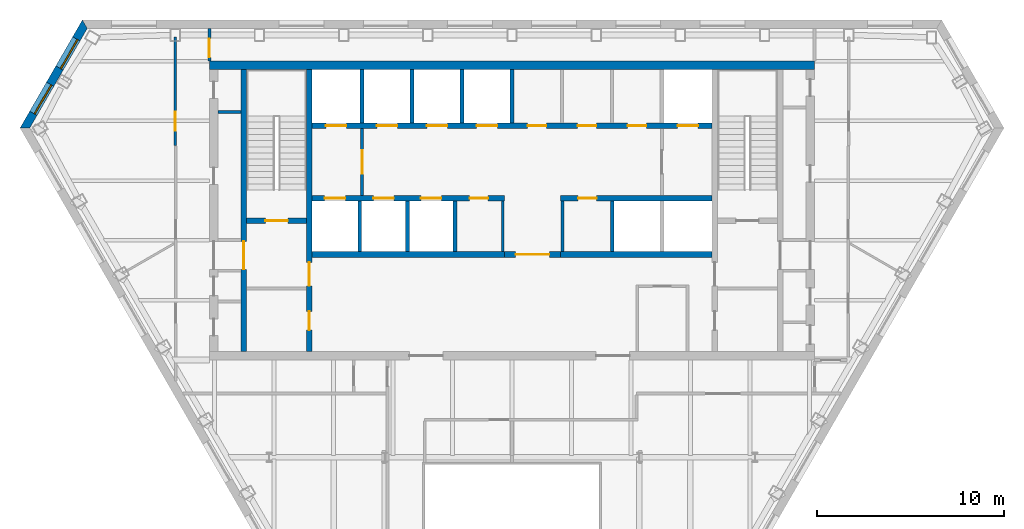
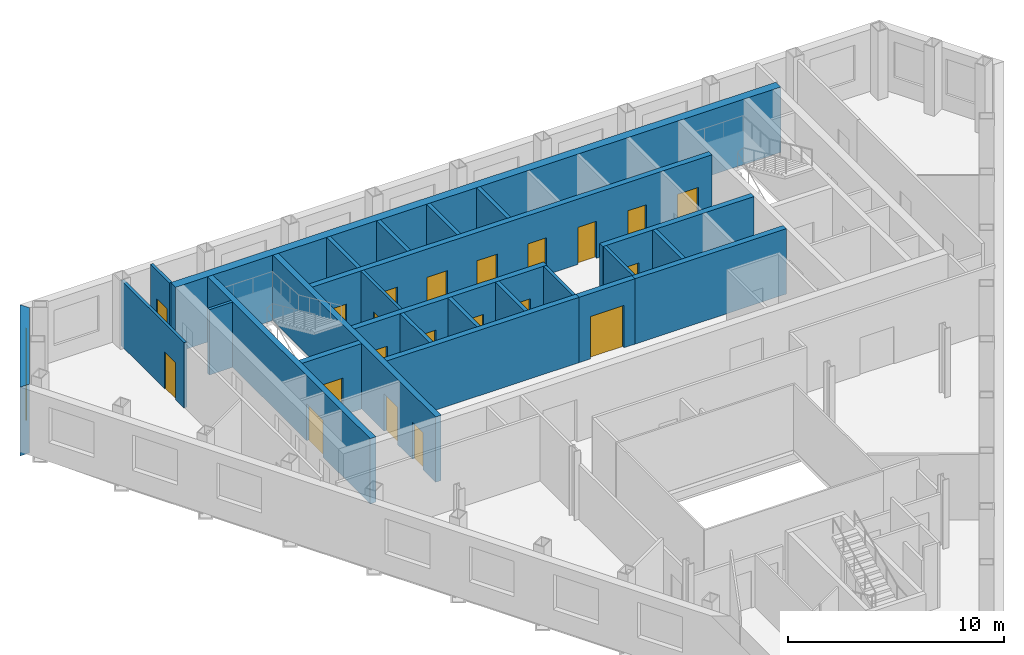
# One storey, part 6 of 10: 25 walls, 21 doors, 2 windows, 23 openings.
"""IFC4 building model written with IfcOpenShell, lengths in metres."""

from ifc_helpers import new_model, si_unit, direction, frame, frame_2d, origin, place, context, subcontext, project, spatial, polyline, rectangle, outline, extrude, material, layer, layer_set, type_object, element, fill, save


model = new_model("IFC4")

# Units and contexts
model_context = context("Model", 3, precision=1e-05, world=origin(), true_north=direction((0.0, 1.0)))
body_context = subcontext(model_context, "Body", "Model", "MODEL_VIEW")
ifc_project = project(units=[si_unit("LENGTHUNIT", "METRE"), si_unit("AREAUNIT", "SQUARE_METRE"), si_unit("VOLUMEUNIT", "CUBIC_METRE"), si_unit("PLANEANGLEUNIT", "RADIAN"), si_unit("MASSUNIT", "GRAM", prefix="KILO")], contexts=[model_context])

# Site, building, storey
site_placement = place(None, origin())
site = spatial("IfcSite", under=ifc_project, at=site_placement, CompositionType="ELEMENT")
building_placement = place(site_placement, origin())
building = spatial("IfcBuilding", under=site, at=building_placement, Name="Njiva Tower", CompositionType="ELEMENT")
storey_placement = place(building_placement, frame((0.0, 0.0, 227.7)))
storey = spatial("IfcBuildingStorey", under=building, at=storey_placement, Name="L51", CompositionType="ELEMENT", Elevation=227.7)

# Walls
ifc_material_1 = material(Name="Blockwork", Category="masonry")
ifc_layer_1 = layer(ifc_material_1, 0.15)
ifc_layer_set_1 = layer_set([ifc_layer_1], Name="Blockwork")
wall_type_1 = type_object("IfcWallType", Name="WT1 Compartment partition 150", PredefinedType="PARTITIONING", material=ifc_layer_set_1)
for number, where, z_axis, x_axis, name in (
    (1, (-0.5, 7.8, 0.0), (0.0, 0.0, 1.0), (0.0, 1.0, 0.0), "Partition CS4"),
    (2, (2.7, 7.8, 0.0), (0.0, 0.0, 1.0), (0.0, 1.0, 0.0), "Partition CS5"),
):
    element("IfcWall", number, at=place(storey_placement, frame(where, z_axis=z_axis, x_axis=x_axis)), inside=storey, type_object=wall_type_1, Name=name, PredefinedType="PARTITIONING", context=body_context, shape_type="SweptSolid", body=[
        extrude(rectangle(XDim=2.7, YDim=0.15, at=frame_2d((1.35, 0.0))), origin(), (0.0, 0.0, 1.0), 3.7),
    ])

# Wall, openings, doors
ifc_material_2 = material(Name="Concrete C40/50", Category="concrete")
ifc_layer_2 = layer(ifc_material_2, 0.3)
ifc_layer_set_2 = layer_set([ifc_layer_2], Name="Concrete C40/50")
wall_type_2 = type_object("IfcWallType", Name="WT10 Stair enclosure wall 300", PredefinedType="SHEAR", material=ifc_layer_set_2)
wall_1_placement = place(storey_placement, frame((-10.85, 2.45, 0.0), z_axis=(0.0, 0.0, 1.0), x_axis=(0.0, 1.0, 0.0)))
wall_1 = element("IfcWall", 3, at=wall_1_placement, inside=storey, type_object=wall_type_2, Name="Stair wall west inner", PredefinedType="SHEAR", context=body_context, shape_type="SweptSolid", body=[
    extrude(rectangle(XDim=15.1, YDim=0.3, at=frame_2d((7.55, 0.0))), origin(), (0.0, 0.0, 1.0), 3.7),
])
opening_1_placement = place(wall_1_placement, frame((3.525, 0.0, 0.0)))
opening_1 = element("IfcOpeningElement", 4, at=opening_1_placement, cuts=wall_1, Name="Opening S17-D916", PredefinedType="OPENING", context=body_context, shape_type="SweptSolid", body=[
    extrude(rectangle(XDim=1.25, YDim=2.1, at=frame_2d((0.625, 1.05))), frame((0.0, 0.16, 0.0), z_axis=(0.0, -1.0, 0.0), x_axis=(1.0, 0.0, 0.0)), (0.0, 0.0, 1.0), 0.32),
])
opening_2_placement = place(wall_1_placement, frame((1.15, 0.0, 0.0)))
opening_2 = element("IfcOpeningElement", 5, at=opening_2_placement, cuts=wall_1, Name="Opening S17-D917", PredefinedType="OPENING", context=body_context, shape_type="SweptSolid", body=[
    extrude(rectangle(XDim=1.0, YDim=2.1, at=frame_2d((0.5, 1.05))), frame((0.0, 0.16, 0.0), z_axis=(0.0, -1.0, 0.0), x_axis=(1.0, 0.0, 0.0)), (0.0, 0.0, 1.0), 0.32),
])
ifc_material_3 = material(Name="Steel door, painted", Category="steel")
door_type_1 = type_object("IfcDoorType", Name="D5 Steel door 1000x2100", OperationType="SINGLE_SWING_LEFT", PredefinedType="DOOR", material=ifc_material_3)
door_1_placement = place(opening_2_placement, origin())
door_1 = element("IfcDoor", 6, at=door_1_placement, inside=storey, type_object=door_type_1, Name="Business centre door", OperationType="SINGLE_SWING_RIGHT", OverallHeight=2.1, OverallWidth=1.0, PredefinedType="DOOR", context=body_context, shape_type="SweptSolid", body=[
    extrude(rectangle(XDim=1.0, YDim=2.1, at=frame_2d((0.5, 1.05))), frame((0.0, 0.025, 0.0), z_axis=(0.0, -1.0, 0.0), x_axis=(1.0, 0.0, 0.0)), (0.0, 0.0, 1.0), 0.05),
])
fill(opening_2, door_1)
ifc_material_4 = material(Name="Glazed steel fire door", Category="steel")
door_type_2 = type_object("IfcDoorType", Name="D8 Vestibule corridor door 1250x2100 glazed", OperationType="SINGLE_SWING_LEFT", PredefinedType="DOOR", material=ifc_material_4)
door_2_placement = place(opening_1_placement, origin())
door_2 = element("IfcDoor", 7, at=door_2_placement, inside=storey, type_object=door_type_2, Name="Stair vestibule corridor door", OperationType="SINGLE_SWING_LEFT", OverallHeight=2.1, OverallWidth=1.25, PredefinedType="DOOR", context=body_context, shape_type="SweptSolid", body=[
    extrude(rectangle(XDim=1.25, YDim=2.1, at=frame_2d((0.625, 1.05))), frame((0.0, 0.025, 0.0), z_axis=(0.0, -1.0, 0.0), x_axis=(1.0, 0.0, 0.0)), (0.0, 0.0, 1.0), 0.05),
])
fill(opening_1, door_2)

# Wall, opening, door
wall_2_placement = place(storey_placement, frame((-14.35, 2.45, 0.0), z_axis=(0.0, 0.0, 1.0), x_axis=(0.0, 1.0, 0.0)))
wall_2 = element("IfcWall", 8, at=wall_2_placement, inside=storey, type_object=wall_type_2, Name="Stair wall west outer", PredefinedType="SHEAR", context=body_context, shape_type="SweptSolid", body=[
    extrude(rectangle(XDim=15.1, YDim=0.3, at=frame_2d((7.55, 0.0))), origin(), (0.0, 0.0, 1.0), 3.7),
])
opening_3_placement = place(wall_2_placement, frame((4.4, 0.0, 0.0)))
opening_3 = element("IfcOpeningElement", 9, at=opening_3_placement, cuts=wall_2, Name="Opening S17-D922", PredefinedType="OPENING", context=body_context, shape_type="SweptSolid", body=[
    extrude(rectangle(XDim=1.5, YDim=2.1, at=frame_2d((0.75, 1.05))), frame((0.0, 0.16, 0.0), z_axis=(0.0, -1.0, 0.0), x_axis=(1.0, 0.0, 0.0)), (0.0, 0.0, 1.0), 0.32),
])
door_type_3 = type_object("IfcDoorType", Name="D10 Exit door double 1500x2100 glazed", OperationType="DOUBLE_DOOR_SINGLE_SWING", PredefinedType="DOOR", material=ifc_material_4)
door_3_placement = place(opening_3_placement, origin())
door_3 = element("IfcDoor", 10, at=door_3_placement, inside=storey, type_object=door_type_3, Name="Stair A passage door", OperationType="DOUBLE_DOOR_SINGLE_SWING", OverallHeight=2.1, OverallWidth=1.5, PredefinedType="DOOR", context=body_context, shape_type="SweptSolid", body=[
    extrude(rectangle(XDim=1.5, YDim=2.1, at=frame_2d((0.75, 1.05))), frame((0.0, 0.025, 0.0), z_axis=(0.0, -1.0, 0.0), x_axis=(1.0, 0.0, 0.0)), (0.0, 0.0, 1.0), 0.05),
])
fill(opening_3, door_3)

wall_3_placement = place(storey_placement, frame((-14.2, 9.45, 0.0), z_axis=(0.0, 0.0, 1.0), x_axis=(1.0, 0.0, 0.0)))
wall_3 = element("IfcWall", 11, at=wall_3_placement, inside=storey, type_object=wall_type_2, Name="Stair A south wall", PredefinedType="SHEAR", context=body_context, shape_type="SweptSolid", body=[
    extrude(rectangle(XDim=3.2, YDim=0.3, at=frame_2d((1.6, 0.0))), origin(), (0.0, 0.0, 1.0), 3.7),
])
opening_4_placement = place(wall_3_placement, frame((1.0, 0.0, 0.0)))
opening_4 = element("IfcOpeningElement", 12, at=opening_4_placement, cuts=wall_3, Name="Opening S17-D915", PredefinedType="OPENING", context=body_context, shape_type="SweptSolid", body=[
    extrude(rectangle(XDim=1.2, YDim=2.1, at=frame_2d((0.6, 1.05))), frame((0.0, 0.16, 0.0), z_axis=(0.0, -1.0, 0.0), x_axis=(1.0, 0.0, 0.0)), (0.0, 0.0, 1.0), 0.32),
])
door_type_4 = type_object("IfcDoorType", Name="D7 Stair vestibule door 1200x2100 glazed", OperationType="SINGLE_SWING_LEFT", PredefinedType="DOOR", material=ifc_material_4)
door_4_placement = place(opening_4_placement, origin())
door_4 = element("IfcDoor", 13, at=door_4_placement, inside=storey, type_object=door_type_4, Name="Stair A door", OperationType="SINGLE_SWING_LEFT", OverallHeight=2.1, OverallWidth=1.2, PredefinedType="DOOR", context=body_context, shape_type="SweptSolid", body=[
    extrude(rectangle(XDim=1.2, YDim=2.1, at=frame_2d((0.6, 1.05))), frame((0.0, 0.025, 0.0), z_axis=(0.0, -1.0, 0.0), x_axis=(1.0, 0.0, 0.0)), (0.0, 0.0, 1.0), 0.05),
])
fill(opening_4, door_4)

# Wall
ifc_material_5 = material(Name="Concrete C60/75", Category="concrete")
ifc_layer_3 = layer(ifc_material_5, 0.45)
ifc_layer_set_3 = layer_set([ifc_layer_3], Name="Concrete C60/75")
wall_type_3 = type_object("IfcWallType", Name="WT12 Core wall 450", PredefinedType="SHEAR", material=ifc_layer_set_3)
wall_4_placement = place(storey_placement, frame((-16.2, 17.775, 0.0), z_axis=(0.0, 0.0, 1.0), x_axis=(1.0, 0.0, 0.0)))
element("IfcWall", 14, at=wall_4_placement, inside=storey, type_object=wall_type_3, Name="Core wall north", PredefinedType="SHEAR", context=body_context, shape_type="SweptSolid", body=[
    extrude(rectangle(XDim=32.4, YDim=0.45, at=frame_2d((16.2, 0.0))), origin(), (0.0, 0.0, 1.0), 3.7),
])

# Wall, opening, door
ifc_layer_4 = layer(ifc_material_1, 0.15)
ifc_layer_set_4 = layer_set([ifc_layer_4], Name="Blockwork")
wall_type_4 = type_object("IfcWallType", Name="WT2 Lobby partition 150", PredefinedType="PARTITIONING", material=ifc_layer_set_4)
wall_5_placement = place(storey_placement, frame((-8.025, 10.8, 0.0), z_axis=(0.0, 0.0, 1.0), x_axis=(0.0, 1.0, 0.0)))
wall_5 = element("IfcWall", 15, at=wall_5_placement, inside=storey, type_object=wall_type_4, Name="Firefighting lobby wall A", PredefinedType="PARTITIONING", context=body_context, shape_type="SweptSolid", body=[
    extrude(rectangle(XDim=3.6, YDim=0.15, at=frame_2d((1.8, 0.0))), origin(), (0.0, 0.0, 1.0), 3.7),
])
opening_5_placement = place(wall_5_placement, frame((1.175, 0.0, 0.0)))
opening_5 = element("IfcOpeningElement", 16, at=opening_5_placement, cuts=wall_5, Name="Opening S17-D914", PredefinedType="OPENING", context=body_context, shape_type="SweptSolid", body=[
    extrude(rectangle(XDim=1.25, YDim=2.1, at=frame_2d((0.625, 1.05))), frame((0.0, 0.085, 0.0), z_axis=(0.0, -1.0, 0.0), x_axis=(1.0, 0.0, 0.0)), (0.0, 0.0, 1.0), 0.17),
])
door_5_placement = place(opening_5_placement, origin())
door_5 = element("IfcDoor", 17, at=door_5_placement, inside=storey, type_object=door_type_2, Name="Stair vestibule corridor door", OperationType="SINGLE_SWING_RIGHT", OverallHeight=2.1, OverallWidth=1.25, PredefinedType="DOOR", context=body_context, shape_type="SweptSolid", body=[
    extrude(rectangle(XDim=1.25, YDim=2.1, at=frame_2d((0.625, 1.05))), frame((0.0, 0.025, 0.0), z_axis=(0.0, -1.0, 0.0), x_axis=(1.0, 0.0, 0.0)), (0.0, 0.0, 1.0), 0.05),
])
fill(opening_5, door_5)

ifc_material_6 = material(Name="Gypsum board on steel studs", Category="gypsum")
ifc_layer_5 = layer(ifc_material_6, 0.15)
ifc_layer_set_5 = layer_set([ifc_layer_5], Name="Gypsum board on steel studs")
wall_type_5 = type_object("IfcWallType", Name="WT21 Compartment wall 150", PredefinedType="PARTITIONING", material=ifc_layer_set_5)
wall_6_placement = place(storey_placement, frame((-18.027, 13.476, 0.0), z_axis=(0.0, 0.0, 1.0), x_axis=(0.0, 1.0, 0.0)))
wall_6 = element("IfcWall", 18, at=wall_6_placement, inside=storey, type_object=wall_type_5, Name="Partition S17-P002", PredefinedType="PARTITIONING", context=body_context, shape_type="SweptSolid", body=[
    extrude(rectangle(XDim=5.824, YDim=0.15, at=frame_2d((2.912, 0.0))), origin(), (0.0, 0.0, 1.0), 3.7),
])
opening_6_placement = place(wall_6_placement, frame((0.803, 0.0, 0.0)))
opening_6 = element("IfcOpeningElement", 19, at=opening_6_placement, cuts=wall_6, Name="Opening S17-D001", PredefinedType="OPENING", context=body_context, shape_type="SweptSolid", body=[
    extrude(rectangle(XDim=1.0, YDim=2.1, at=frame_2d((0.5, 1.05))), frame((0.0, 0.085, 0.0), z_axis=(0.0, -1.0, 0.0), x_axis=(1.0, 0.0, 0.0)), (0.0, 0.0, 1.0), 0.17),
])
ifc_material_7 = material(Name="Steel fire door set", Category="steel")
door_type_5 = type_object("IfcDoorType", Name="D37 Fire door 1000x2100", OperationType="SINGLE_SWING_LEFT", PredefinedType="DOOR", material=ifc_material_7)
door_6_placement = place(opening_6_placement, origin())
door_6 = element("IfcDoor", 20, at=door_6_placement, inside=storey, type_object=door_type_5, Name="Door S17-D001", OperationType="SINGLE_SWING_RIGHT", OverallHeight=2.1, OverallWidth=1.0, PredefinedType="DOOR", context=body_context, shape_type="SweptSolid", body=[
    extrude(rectangle(XDim=1.0, YDim=2.1, at=frame_2d((0.5, 1.05))), frame((0.0, 0.025, 0.0), z_axis=(0.0, -1.0, 0.0), x_axis=(1.0, 0.0, 0.0)), (0.0, 0.0, 1.0), 0.05),
])
fill(opening_6, door_6)

wall_7_placement = place(storey_placement, frame((-16.2, 18.0, 0.0), z_axis=(0.0, 0.0, 1.0), x_axis=(0.0, 1.0, 0.0)))
wall_7 = element("IfcWall", 21, at=wall_7_placement, inside=storey, type_object=wall_type_5, Name="Partition S17-P005", PredefinedType="PARTITIONING", context=body_context, shape_type="SweptSolid", body=[
    extrude(rectangle(XDim=1.75, YDim=0.15, at=frame_2d((0.875, 0.0))), origin(), (0.0, 0.0, 1.0), 3.7),
])
opening_7_placement = place(wall_7_placement, frame((0.2, 0.0, 0.0)))
opening_7 = element("IfcOpeningElement", 22, at=opening_7_placement, cuts=wall_7, Name="Opening S17-D004", PredefinedType="OPENING", context=body_context, shape_type="SweptSolid", body=[
    extrude(rectangle(XDim=1.0, YDim=2.1, at=frame_2d((0.5, 1.05))), frame((0.0, 0.085, 0.0), z_axis=(0.0, -1.0, 0.0), x_axis=(1.0, 0.0, 0.0)), (0.0, 0.0, 1.0), 0.17),
])
door_7_placement = place(opening_7_placement, origin())
door_7 = element("IfcDoor", 23, at=door_7_placement, inside=storey, type_object=door_type_5, Name="Door S17-D004", OperationType="SINGLE_SWING_LEFT", OverallHeight=2.1, OverallWidth=1.0, PredefinedType="DOOR", context=body_context, shape_type="SweptSolid", body=[
    extrude(rectangle(XDim=1.0, YDim=2.1, at=frame_2d((0.5, 1.05))), frame((0.0, 0.025, 0.0), z_axis=(0.0, -1.0, 0.0), x_axis=(1.0, 0.0, 0.0)), (0.0, 0.0, 1.0), 0.05),
])
fill(opening_7, door_7)

# Wall
ifc_layer_6 = layer(ifc_material_1, 0.15)
ifc_layer_set_6 = layer_set([ifc_layer_6], Name="Blockwork")
wall_type_6 = type_object("IfcWallType", Name="WT3 Riser partition 150", PredefinedType="PARTITIONING", material=ifc_layer_set_6)
wall_8_placement = place(storey_placement, frame((-15.75, 15.2772, 0.0), z_axis=(0.0, 0.0, 1.0), x_axis=(1.0, 0.0, 0.0)))
element("IfcWall", 24, at=wall_8_placement, inside=storey, type_object=wall_type_6, Name="Partition strip W10", PredefinedType="PARTITIONING", context=body_context, shape_type="SweptSolid", body=[
    extrude(rectangle(XDim=1.25, YDim=0.15, at=frame_2d((0.625, 0.0))), origin(), (0.0, 0.0, 1.0), 3.7),
])

# Wall, opening, door
ifc_layer_7 = layer(ifc_material_1, 0.3)
ifc_layer_set_7 = layer_set([ifc_layer_7], Name="Blockwork")
wall_type_7 = type_object("IfcWallType", Name="WT5 Lobby partition 300", PredefinedType="PARTITIONING", material=ifc_layer_set_7)
wall_9_placement = place(storey_placement, frame((-0.4, 7.65, 0.0), z_axis=(0.0, 0.0, 1.0), x_axis=(1.0, 0.0, 0.0)))
wall_9 = element("IfcWall", 25, at=wall_9_placement, inside=storey, type_object=wall_type_7, Name="Lift lobby screen wall", PredefinedType="PARTITIONING", context=body_context, shape_type="SweptSolid", body=[
    extrude(rectangle(XDim=3.0, YDim=0.3, at=frame_2d((1.5, 0.0))), origin(), (0.0, 0.0, 1.0), 3.7),
])
opening_8_placement = place(wall_9_placement, frame((0.6, 0.0, 0.0)))
opening_8 = element("IfcOpeningElement", 26, at=opening_8_placement, cuts=wall_9, Name="Opening S17-D935", PredefinedType="OPENING", context=body_context, shape_type="SweptSolid", body=[
    extrude(rectangle(XDim=1.8, YDim=2.4, at=frame_2d((0.9, 1.2))), frame((0.0, 0.16, 0.0), z_axis=(0.0, -1.0, 0.0), x_axis=(1.0, 0.0, 0.0)), (0.0, 0.0, 1.0), 0.32),
])
ifc_material_8 = material(Name="Steel and glass door", Category="steel")
door_type_6 = type_object("IfcDoorType", Name="D3 Core entrance door 1800x2400", OperationType="DOUBLE_DOOR_SINGLE_SWING", PredefinedType="DOOR", material=ifc_material_8)
door_8_placement = place(opening_8_placement, origin())
door_8 = element("IfcDoor", 27, at=door_8_placement, inside=storey, type_object=door_type_6, Name="Core entrance door", OperationType="DOUBLE_DOOR_SINGLE_SWING", OverallHeight=2.4, OverallWidth=1.8, PredefinedType="DOOR", context=body_context, shape_type="SweptSolid", body=[
    extrude(rectangle(XDim=1.8, YDim=2.4, at=frame_2d((0.9, 1.2))), frame((0.0, 0.025, 0.0), z_axis=(0.0, -1.0, 0.0), x_axis=(1.0, 0.0, 0.0)), (0.0, 0.0, 1.0), 0.05),
])
fill(opening_8, door_8)

# Walls
ifc_layer_8 = layer(ifc_material_2, 0.2)
ifc_layer_set_8 = layer_set([ifc_layer_8], Name="Concrete C40/50")
wall_type_8 = type_object("IfcWallType", Name="WT6 Lift shaft wall 200", PredefinedType="SHEAR", material=ifc_layer_set_8)
for number, where, z_axis, x_axis, name in (
    (28, (-8.025, 14.7, 0.0), (0.0, 0.0, 1.0), (0.0, 1.0, 0.0), "Shaft wall CN1"),
    (29, (-5.35, 14.7, 0.0), (0.0, 0.0, 1.0), (0.0, 1.0, 0.0), "Shaft wall CN2"),
    (30, (-2.675, 14.7, 0.0), (0.0, 0.0, 1.0), (0.0, 1.0, 0.0), "Shaft wall CN3"),
    (31, (0.0, 14.7, 0.0), (0.0, 0.0, 1.0), (0.0, 1.0, 0.0), "Shaft wall CN4"),
):
    element("IfcWall", number, at=place(storey_placement, frame(where, z_axis=z_axis, x_axis=x_axis)), inside=storey, type_object=wall_type_8, Name=name, PredefinedType="SHEAR", context=body_context, shape_type="SweptSolid", body=[
        extrude(rectangle(XDim=2.85, YDim=0.2, at=frame_2d((1.425, 0.0))), origin(), (0.0, 0.0, 1.0), 3.7),
    ])
for number, where, z_axis, x_axis, name in (
    (32, (-8.15, 7.8, 0.0), (0.0, 0.0, 1.0), (0.0, 1.0, 0.0), "Shaft wall CS1"),
    (33, (-5.6, 7.8, 0.0), (0.0, 0.0, 1.0), (0.0, 1.0, 0.0), "Shaft wall CS2"),
    (34, (-3.05, 7.8, 0.0), (0.0, 0.0, 1.0), (0.0, 1.0, 0.0), "Shaft wall CS3"),
    (35, (5.3667, 7.8, 0.0), (0.0, 0.0, 1.0), (0.0, 1.0, 0.0), "Shaft wall CS6"),
):
    element("IfcWall", number, at=place(storey_placement, frame(where, z_axis=z_axis, x_axis=x_axis)), inside=storey, type_object=wall_type_8, Name=name, PredefinedType="SHEAR", context=body_context, shape_type="SweptSolid", body=[
        extrude(rectangle(XDim=2.7, YDim=0.2, at=frame_2d((1.35, 0.0))), origin(), (0.0, 0.0, 1.0), 3.7),
    ])

# Wall, openings, doors
ifc_layer_9 = layer(ifc_material_2, 0.3)
ifc_layer_set_9 = layer_set([ifc_layer_9], Name="Concrete C40/50")
wall_type_9 = type_object("IfcWallType", Name="WT7 Lift shaft wall 300", PredefinedType="SHEAR", material=ifc_layer_set_9)
wall_10_placement = place(storey_placement, frame((-10.7, 14.55, 0.0), z_axis=(0.0, 0.0, 1.0), x_axis=(1.0, 0.0, 0.0)))
wall_10 = element("IfcWall", 36, at=wall_10_placement, inside=storey, type_object=wall_type_9, Name="Shaft wall north row lobby side", PredefinedType="SHEAR", context=body_context, shape_type="SweptSolid", body=[
    extrude(rectangle(XDim=21.4, YDim=0.3, at=frame_2d((10.7, 0.0))), origin(), (0.0, 0.0, 1.0), 3.7),
])
opening_9_placement = place(wall_10_placement, frame((0.7375, 0.0, 0.0)))
opening_9 = element("IfcOpeningElement", 37, at=opening_9_placement, cuts=wall_10, Name="Opening S17-D901", PredefinedType="OPENING", context=body_context, shape_type="SweptSolid", body=[
    extrude(rectangle(XDim=1.1, YDim=2.1, at=frame_2d((0.55, 1.05))), frame((0.0, 0.16, 0.0), z_axis=(0.0, -1.0, 0.0), x_axis=(1.0, 0.0, 0.0)), (0.0, 0.0, 1.0), 0.32),
])
opening_10_placement = place(wall_10_placement, frame((3.4625, 0.0, 0.0)))
opening_10 = element("IfcOpeningElement", 38, at=opening_10_placement, cuts=wall_10, Name="Opening S17-D902", PredefinedType="OPENING", context=body_context, shape_type="SweptSolid", body=[
    extrude(rectangle(XDim=1.1, YDim=2.1, at=frame_2d((0.55, 1.05))), frame((0.0, 0.16, 0.0), z_axis=(0.0, -1.0, 0.0), x_axis=(1.0, 0.0, 0.0)), (0.0, 0.0, 1.0), 0.32),
])
opening_11_placement = place(wall_10_placement, frame((6.1375, 0.0, 0.0)))
opening_11 = element("IfcOpeningElement", 39, at=opening_11_placement, cuts=wall_10, Name="Opening S17-D903", PredefinedType="OPENING", context=body_context, shape_type="SweptSolid", body=[
    extrude(rectangle(XDim=1.1, YDim=2.1, at=frame_2d((0.55, 1.05))), frame((0.0, 0.16, 0.0), z_axis=(0.0, -1.0, 0.0), x_axis=(1.0, 0.0, 0.0)), (0.0, 0.0, 1.0), 0.32),
])
opening_12_placement = place(wall_10_placement, frame((8.8125, 0.0, 0.0)))
opening_12 = element("IfcOpeningElement", 40, at=opening_12_placement, cuts=wall_10, Name="Opening S17-D904", PredefinedType="OPENING", context=body_context, shape_type="SweptSolid", body=[
    extrude(rectangle(XDim=1.1, YDim=2.1, at=frame_2d((0.55, 1.05))), frame((0.0, 0.16, 0.0), z_axis=(0.0, -1.0, 0.0), x_axis=(1.0, 0.0, 0.0)), (0.0, 0.0, 1.0), 0.32),
])
opening_13_placement = place(wall_10_placement, frame((19.5625, 0.0, 0.0)))
opening_13 = element("IfcOpeningElement", 41, at=opening_13_placement, cuts=wall_10, Name="Opening S17-D905", PredefinedType="OPENING", context=body_context, shape_type="SweptSolid", body=[
    extrude(rectangle(XDim=1.1, YDim=2.1, at=frame_2d((0.55, 1.05))), frame((0.0, 0.16, 0.0), z_axis=(0.0, -1.0, 0.0), x_axis=(1.0, 0.0, 0.0)), (0.0, 0.0, 1.0), 0.32),
])
opening_14_placement = place(wall_10_placement, frame((11.5375, 0.0, 0.0)))
opening_14 = element("IfcOpeningElement", 42, at=opening_14_placement, cuts=wall_10, Name="Opening S17-D909", PredefinedType="OPENING", context=body_context, shape_type="SweptSolid", body=[
    extrude(rectangle(XDim=1.0, YDim=2.1, at=frame_2d((0.5, 1.05))), frame((0.0, 0.16, 0.0), z_axis=(0.0, -1.0, 0.0), x_axis=(1.0, 0.0, 0.0)), (0.0, 0.0, 1.0), 0.32),
])
opening_15_placement = place(wall_10_placement, frame((14.2125, 0.0, 0.0)))
opening_15 = element("IfcOpeningElement", 43, at=opening_15_placement, cuts=wall_10, Name="Opening S17-D910", PredefinedType="OPENING", context=body_context, shape_type="SweptSolid", body=[
    extrude(rectangle(XDim=1.0, YDim=2.1, at=frame_2d((0.5, 1.05))), frame((0.0, 0.16, 0.0), z_axis=(0.0, -1.0, 0.0), x_axis=(1.0, 0.0, 0.0)), (0.0, 0.0, 1.0), 0.32),
])
opening_16_placement = place(wall_10_placement, frame((16.8875, 0.0, 0.0)))
opening_16 = element("IfcOpeningElement", 44, at=opening_16_placement, cuts=wall_10, Name="Opening S17-D911", PredefinedType="OPENING", context=body_context, shape_type="SweptSolid", body=[
    extrude(rectangle(XDim=1.0, YDim=2.1, at=frame_2d((0.5, 1.05))), frame((0.0, 0.16, 0.0), z_axis=(0.0, -1.0, 0.0), x_axis=(1.0, 0.0, 0.0)), (0.0, 0.0, 1.0), 0.32),
])
door_9_placement = place(opening_14_placement, origin())
door_9 = element("IfcDoor", 45, at=door_9_placement, inside=storey, type_object=door_type_1, Name="Business centre door", OperationType="SINGLE_SWING_LEFT", OverallHeight=2.1, OverallWidth=1.0, PredefinedType="DOOR", context=body_context, shape_type="SweptSolid", body=[
    extrude(rectangle(XDim=1.0, YDim=2.1, at=frame_2d((0.5, 1.05))), frame((0.0, 0.025, 0.0), z_axis=(0.0, -1.0, 0.0), x_axis=(1.0, 0.0, 0.0)), (0.0, 0.0, 1.0), 0.05),
])
fill(opening_14, door_9)
door_10_placement = place(opening_15_placement, origin())
door_10 = element("IfcDoor", 46, at=door_10_placement, inside=storey, type_object=door_type_1, Name="Meeting room door", OperationType="SINGLE_SWING_LEFT", OverallHeight=2.1, OverallWidth=1.0, PredefinedType="DOOR", context=body_context, shape_type="SweptSolid", body=[
    extrude(rectangle(XDim=1.0, YDim=2.1, at=frame_2d((0.5, 1.05))), frame((0.0, 0.025, 0.0), z_axis=(0.0, -1.0, 0.0), x_axis=(1.0, 0.0, 0.0)), (0.0, 0.0, 1.0), 0.05),
])
fill(opening_15, door_10)
door_11_placement = place(opening_16_placement, origin())
door_11 = element("IfcDoor", 47, at=door_11_placement, inside=storey, type_object=door_type_1, Name="Breakout room door", OperationType="SINGLE_SWING_LEFT", OverallHeight=2.1, OverallWidth=1.0, PredefinedType="DOOR", context=body_context, shape_type="SweptSolid", body=[
    extrude(rectangle(XDim=1.0, YDim=2.1, at=frame_2d((0.5, 1.05))), frame((0.0, 0.025, 0.0), z_axis=(0.0, -1.0, 0.0), x_axis=(1.0, 0.0, 0.0)), (0.0, 0.0, 1.0), 0.05),
])
fill(opening_16, door_11)
ifc_material_9 = material(Name="Stainless steel sliding door", Category="steel")
door_type_7 = type_object("IfcDoorType", Name="LD Lift landing door 1100x2100", OperationType="SLIDING_TO_LEFT", PredefinedType="DOOR", material=ifc_material_9)
door_12_placement = place(opening_9_placement, origin())
door_12 = element("IfcDoor", 48, at=door_12_placement, inside=storey, type_object=door_type_7, Name="Lift landing door FF1", OperationType="SLIDING_TO_LEFT", OverallHeight=2.1, OverallWidth=1.1, PredefinedType="DOOR", context=body_context, shape_type="SweptSolid", body=[
    extrude(rectangle(XDim=1.1, YDim=2.1, at=frame_2d((0.55, 1.05))), frame((0.0, 0.025, 0.0), z_axis=(0.0, -1.0, 0.0), x_axis=(1.0, 0.0, 0.0)), (0.0, 0.0, 1.0), 0.05),
])
fill(opening_9, door_12)
door_13_placement = place(opening_10_placement, origin())
door_13 = element("IfcDoor", 49, at=door_13_placement, inside=storey, type_object=door_type_7, Name="Lift landing door MB4", OperationType="SLIDING_TO_LEFT", OverallHeight=2.1, OverallWidth=1.1, PredefinedType="DOOR", context=body_context, shape_type="SweptSolid", body=[
    extrude(rectangle(XDim=1.1, YDim=2.1, at=frame_2d((0.55, 1.05))), frame((0.0, 0.025, 0.0), z_axis=(0.0, -1.0, 0.0), x_axis=(1.0, 0.0, 0.0)), (0.0, 0.0, 1.0), 0.05),
])
fill(opening_10, door_13)
door_14_placement = place(opening_11_placement, origin())
door_14 = element("IfcDoor", 50, at=door_14_placement, inside=storey, type_object=door_type_7, Name="Lift landing door MB5", OperationType="SLIDING_TO_LEFT", OverallHeight=2.1, OverallWidth=1.1, PredefinedType="DOOR", context=body_context, shape_type="SweptSolid", body=[
    extrude(rectangle(XDim=1.1, YDim=2.1, at=frame_2d((0.55, 1.05))), frame((0.0, 0.025, 0.0), z_axis=(0.0, -1.0, 0.0), x_axis=(1.0, 0.0, 0.0)), (0.0, 0.0, 1.0), 0.05),
])
fill(opening_11, door_14)
door_15_placement = place(opening_12_placement, origin())
door_15 = element("IfcDoor", 51, at=door_15_placement, inside=storey, type_object=door_type_7, Name="Lift landing door MB6", OperationType="SLIDING_TO_LEFT", OverallHeight=2.1, OverallWidth=1.1, PredefinedType="DOOR", context=body_context, shape_type="SweptSolid", body=[
    extrude(rectangle(XDim=1.1, YDim=2.1, at=frame_2d((0.55, 1.05))), frame((0.0, 0.025, 0.0), z_axis=(0.0, -1.0, 0.0), x_axis=(1.0, 0.0, 0.0)), (0.0, 0.0, 1.0), 0.05),
])
fill(opening_12, door_15)
door_16_placement = place(opening_13_placement, origin())
door_16 = element("IfcDoor", 52, at=door_16_placement, inside=storey, type_object=door_type_7, Name="Lift landing door FF2", OperationType="SLIDING_TO_LEFT", OverallHeight=2.1, OverallWidth=1.1, PredefinedType="DOOR", context=body_context, shape_type="SweptSolid", body=[
    extrude(rectangle(XDim=1.1, YDim=2.1, at=frame_2d((0.55, 1.05))), frame((0.0, 0.025, 0.0), z_axis=(0.0, -1.0, 0.0), x_axis=(1.0, 0.0, 0.0)), (0.0, 0.0, 1.0), 0.05),
])
fill(opening_13, door_16)

wall_11_placement = place(storey_placement, frame((-10.7, 10.65, 0.0), z_axis=(0.0, 0.0, 1.0), x_axis=(1.0, 0.0, 0.0)))
wall_11 = element("IfcWall", 53, at=wall_11_placement, inside=storey, type_object=wall_type_9, Name="Shaft wall south row lobby side W", PredefinedType="SHEAR", context=body_context, shape_type="SweptSolid", body=[
    extrude(rectangle(XDim=10.3, YDim=0.3, at=frame_2d((5.15, 0.0))), origin(), (0.0, 0.0, 1.0), 3.7),
])
opening_17_placement = place(wall_11_placement, frame((0.675, 0.0, 0.0)))
opening_17 = element("IfcOpeningElement", 54, at=opening_17_placement, cuts=wall_11, Name="Opening S17-D906", PredefinedType="OPENING", context=body_context, shape_type="SweptSolid", body=[
    extrude(rectangle(XDim=1.1, YDim=2.1, at=frame_2d((0.55, 1.05))), frame((0.0, 0.16, 0.0), z_axis=(0.0, -1.0, 0.0), x_axis=(1.0, 0.0, 0.0)), (0.0, 0.0, 1.0), 0.32),
])
opening_18_placement = place(wall_11_placement, frame((3.275, 0.0, 0.0)))
opening_18 = element("IfcOpeningElement", 55, at=opening_18_placement, cuts=wall_11, Name="Opening S17-D907", PredefinedType="OPENING", context=body_context, shape_type="SweptSolid", body=[
    extrude(rectangle(XDim=1.1, YDim=2.1, at=frame_2d((0.55, 1.05))), frame((0.0, 0.16, 0.0), z_axis=(0.0, -1.0, 0.0), x_axis=(1.0, 0.0, 0.0)), (0.0, 0.0, 1.0), 0.32),
])
opening_19_placement = place(wall_11_placement, frame((5.825, 0.0, 0.0)))
opening_19 = element("IfcOpeningElement", 56, at=opening_19_placement, cuts=wall_11, Name="Opening S17-D908", PredefinedType="OPENING", context=body_context, shape_type="SweptSolid", body=[
    extrude(rectangle(XDim=1.1, YDim=2.1, at=frame_2d((0.55, 1.05))), frame((0.0, 0.16, 0.0), z_axis=(0.0, -1.0, 0.0), x_axis=(1.0, 0.0, 0.0)), (0.0, 0.0, 1.0), 0.32),
])
opening_20_placement = place(wall_11_placement, frame((8.425, 0.0, 0.0)))
opening_20 = element("IfcOpeningElement", 57, at=opening_20_placement, cuts=wall_11, Name="Opening S17-D912", PredefinedType="OPENING", context=body_context, shape_type="SweptSolid", body=[
    extrude(rectangle(XDim=1.0, YDim=2.1, at=frame_2d((0.5, 1.05))), frame((0.0, 0.16, 0.0), z_axis=(0.0, -1.0, 0.0), x_axis=(1.0, 0.0, 0.0)), (0.0, 0.0, 1.0), 0.32),
])
door_17_placement = place(opening_20_placement, origin())
door_17 = element("IfcDoor", 58, at=door_17_placement, inside=storey, type_object=door_type_1, Name="Breakout room door", OperationType="SINGLE_SWING_RIGHT", OverallHeight=2.1, OverallWidth=1.0, PredefinedType="DOOR", context=body_context, shape_type="SweptSolid", body=[
    extrude(rectangle(XDim=1.0, YDim=2.1, at=frame_2d((0.5, 1.05))), frame((0.0, 0.025, 0.0), z_axis=(0.0, -1.0, 0.0), x_axis=(1.0, 0.0, 0.0)), (0.0, 0.0, 1.0), 0.05),
])
fill(opening_20, door_17)
door_18_placement = place(opening_17_placement, origin())
door_18 = element("IfcDoor", 59, at=door_18_placement, inside=storey, type_object=door_type_7, Name="Lift landing door MB1", OperationType="SLIDING_TO_LEFT", OverallHeight=2.1, OverallWidth=1.1, PredefinedType="DOOR", context=body_context, shape_type="SweptSolid", body=[
    extrude(rectangle(XDim=1.1, YDim=2.1, at=frame_2d((0.55, 1.05))), frame((0.0, 0.025, 0.0), z_axis=(0.0, -1.0, 0.0), x_axis=(1.0, 0.0, 0.0)), (0.0, 0.0, 1.0), 0.05),
])
fill(opening_17, door_18)
door_19_placement = place(opening_18_placement, origin())
door_19 = element("IfcDoor", 60, at=door_19_placement, inside=storey, type_object=door_type_7, Name="Lift landing door MB2", OperationType="SLIDING_TO_LEFT", OverallHeight=2.1, OverallWidth=1.1, PredefinedType="DOOR", context=body_context, shape_type="SweptSolid", body=[
    extrude(rectangle(XDim=1.1, YDim=2.1, at=frame_2d((0.55, 1.05))), frame((0.0, 0.025, 0.0), z_axis=(0.0, -1.0, 0.0), x_axis=(1.0, 0.0, 0.0)), (0.0, 0.0, 1.0), 0.05),
])
fill(opening_18, door_19)
door_20_placement = place(opening_19_placement, origin())
door_20 = element("IfcDoor", 61, at=door_20_placement, inside=storey, type_object=door_type_7, Name="Lift landing door MB3", OperationType="SLIDING_TO_LEFT", OverallHeight=2.1, OverallWidth=1.1, PredefinedType="DOOR", context=body_context, shape_type="SweptSolid", body=[
    extrude(rectangle(XDim=1.1, YDim=2.1, at=frame_2d((0.55, 1.05))), frame((0.0, 0.025, 0.0), z_axis=(0.0, -1.0, 0.0), x_axis=(1.0, 0.0, 0.0)), (0.0, 0.0, 1.0), 0.05),
])
fill(opening_19, door_20)

# Wall
wall_12_placement = place(storey_placement, frame((-10.7, 7.65, 0.0), z_axis=(0.0, 0.0, 1.0), x_axis=(1.0, 0.0, 0.0)))
element("IfcWall", 62, at=wall_12_placement, inside=storey, type_object=wall_type_9, Name="Shaft wall south row back W", PredefinedType="SHEAR", context=body_context, shape_type="SweptSolid", body=[
    extrude(rectangle(XDim=10.3, YDim=0.3, at=frame_2d((5.15, 0.0))), origin(), (0.0, 0.0, 1.0), 3.7),
])

# Wall, opening, door
wall_13_placement = place(storey_placement, frame((2.6, 10.65, 0.0), z_axis=(0.0, 0.0, 1.0), x_axis=(1.0, 0.0, 0.0)))
wall_13 = element("IfcWall", 63, at=wall_13_placement, inside=storey, type_object=wall_type_9, Name="Shaft wall south row lobby side E", PredefinedType="SHEAR", context=body_context, shape_type="SweptSolid", body=[
    extrude(rectangle(XDim=8.1, YDim=0.3, at=frame_2d((4.05, 0.0))), origin(), (0.0, 0.0, 1.0), 3.7),
])
opening_21_placement = place(wall_13_placement, frame((0.9334, 0.0, 0.0)))
opening_21 = element("IfcOpeningElement", 64, at=opening_21_placement, cuts=wall_13, Name="Opening S17-D913", PredefinedType="OPENING", context=body_context, shape_type="SweptSolid", body=[
    extrude(rectangle(XDim=1.0, YDim=2.1, at=frame_2d((0.5, 1.05))), frame((0.0, 0.16, 0.0), z_axis=(0.0, -1.0, 0.0), x_axis=(1.0, 0.0, 0.0)), (0.0, 0.0, 1.0), 0.32),
])
door_21_placement = place(opening_21_placement, origin())
door_21 = element("IfcDoor", 65, at=door_21_placement, inside=storey, type_object=door_type_1, Name="Reading room door", OperationType="SINGLE_SWING_LEFT", OverallHeight=2.1, OverallWidth=1.0, PredefinedType="DOOR", context=body_context, shape_type="SweptSolid", body=[
    extrude(rectangle(XDim=1.0, YDim=2.1, at=frame_2d((0.5, 1.05))), frame((0.0, 0.025, 0.0), z_axis=(0.0, -1.0, 0.0), x_axis=(1.0, 0.0, 0.0)), (0.0, 0.0, 1.0), 0.05),
])
fill(opening_21, door_21)

# Wall
wall_14_placement = place(storey_placement, frame((2.6, 7.65, 0.0), z_axis=(0.0, 0.0, 1.0), x_axis=(1.0, 0.0, 0.0)))
element("IfcWall", 66, at=wall_14_placement, inside=storey, type_object=wall_type_9, Name="Shaft wall south row back E", PredefinedType="SHEAR", context=body_context, shape_type="SweptSolid", body=[
    extrude(rectangle(XDim=8.1, YDim=0.3, at=frame_2d((4.05, 0.0))), origin(), (0.0, 0.0, 1.0), 3.7),
])

# Wall, openings, windows
ifc_material_10 = material(Name="Brick masonry, buff", Category="masonry")
ifc_layer_10 = layer(ifc_material_10, 0.45)
ifc_layer_set_10 = layer_set([ifc_layer_10], Name="Brick masonry, buff")
wall_type_10 = type_object("IfcWallType", Name="WT94 Brick pier and spandrel wall 450, buff", PredefinedType="SOLIDWALL", material=ifc_layer_set_10)
wall_15_placement = place(storey_placement, frame((-22.8688, 19.9772, -0.4), z_axis=(0.0, 0.0, 1.0), x_axis=(-0.499997052475, -0.866027105532, 0.0)))
wall_15 = element("IfcWall", 67, at=wall_15_placement, inside=storey, type_object=wall_type_10, Name="Facade wall NW", PredefinedType="SOLIDWALL", context=body_context, shape_type="SweptSolid", body=[
    extrude(outline(polyline([(-0.1299, -0.225), (6.5501, -0.225), (6.2903, 0.225), (0.1299, 0.225), (-0.1299, -0.225)])), origin(), (0.0, 0.0, 1.0), 3.9),
])
opening_22_placement = place(wall_15_placement, frame((0.9094, 0.0, 1.3)))
opening_22 = element("IfcOpeningElement", 68, at=opening_22_placement, cuts=wall_15, Name="Opening S17-W09", PredefinedType="OPENING", context=body_context, shape_type="SweptSolid", body=[
    extrude(rectangle(XDim=1.8, YDim=2.0, at=frame_2d((0.9, 1.0))), frame((0.0, 0.235, 0.0), z_axis=(0.0, -1.0, 0.0), x_axis=(1.0, 0.0, 0.0)), (0.0, 0.0, 1.0), 0.47),
])
opening_23_placement = place(wall_15_placement, frame((3.7107, 0.0, 1.3)))
opening_23 = element("IfcOpeningElement", 69, at=opening_23_placement, cuts=wall_15, Name="Opening S17-W10", PredefinedType="OPENING", context=body_context, shape_type="SweptSolid", body=[
    extrude(rectangle(XDim=1.8, YDim=2.0, at=frame_2d((0.9, 1.0))), frame((0.0, 0.235, 0.0), z_axis=(0.0, -1.0, 0.0), x_axis=(1.0, 0.0, 0.0)), (0.0, 0.0, 1.0), 0.47),
])
ifc_material_11 = material(Name="Clear glazing in aluminium frame", Category="aluminium")
window_type = type_object("IfcWindowType", Name="W94 Deep-set window 1800x2000", PartitioningType="SINGLE_PANEL", PredefinedType="WINDOW", material=ifc_material_11)
window_1_placement = place(opening_22_placement, origin())
window_1 = element("IfcWindow", 70, at=window_1_placement, inside=storey, type_object=window_type, Name="Window", OverallHeight=2.0, OverallWidth=1.8, PartitioningType="SINGLE_PANEL", PredefinedType="WINDOW", context=body_context, shape_type="SweptSolid", body=[
    extrude(rectangle(XDim=1.8, YDim=2.0, at=frame_2d((0.9, 1.0))), frame((0.0, 0.105, 0.0), z_axis=(0.0, -1.0, 0.0), x_axis=(1.0, 0.0, 0.0)), (0.0, 0.0, 1.0), 0.06),
])
fill(opening_22, window_1)
window_2_placement = place(opening_23_placement, origin())
window_2 = element("IfcWindow", 71, at=window_2_placement, inside=storey, type_object=window_type, Name="Window", OverallHeight=2.0, OverallWidth=1.8, PartitioningType="SINGLE_PANEL", PredefinedType="WINDOW", context=body_context, shape_type="SweptSolid", body=[
    extrude(rectangle(XDim=1.8, YDim=2.0, at=frame_2d((0.9, 1.0))), frame((0.0, 0.105, 0.0), z_axis=(0.0, -1.0, 0.0), x_axis=(1.0, 0.0, 0.0)), (0.0, 0.0, 1.0), 0.06),
])
fill(opening_23, window_2)

save(model, "model.ifc")
